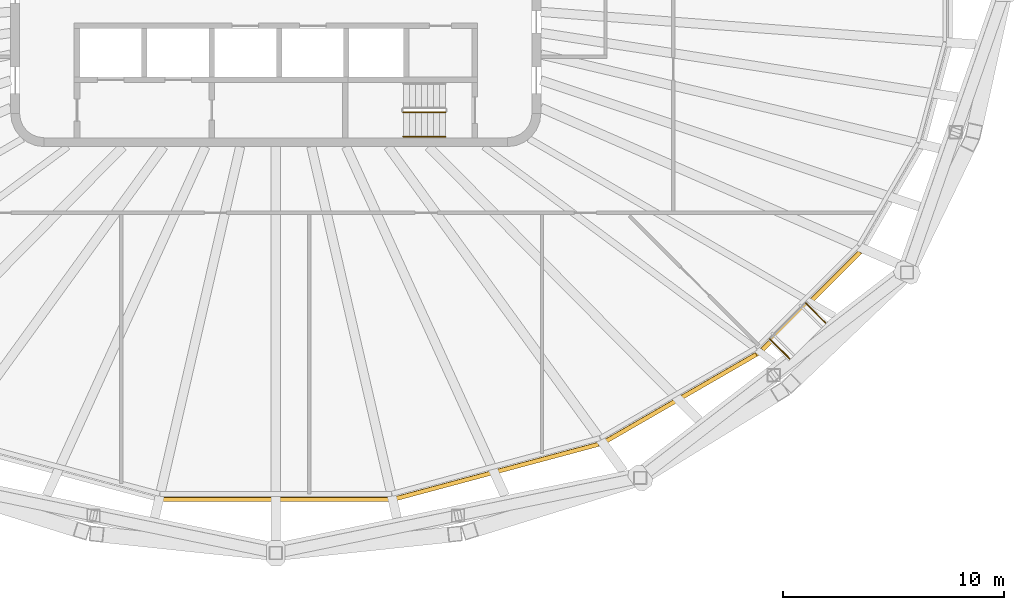
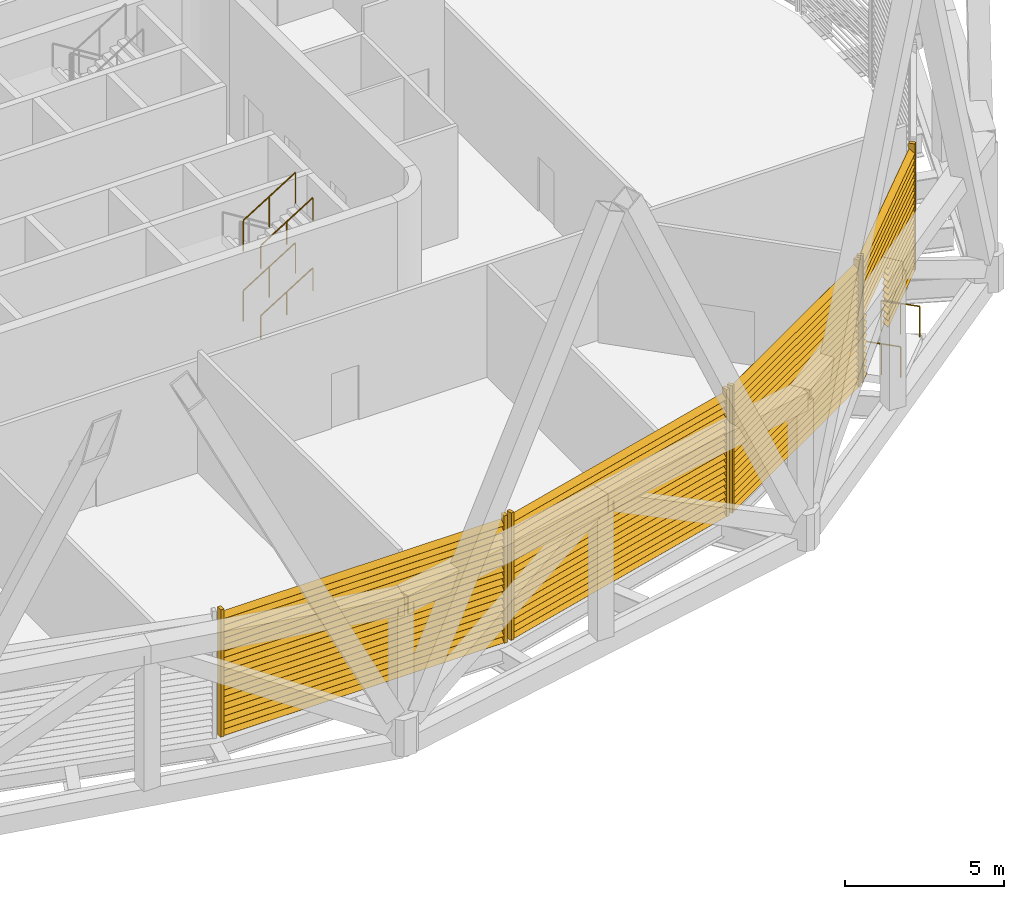
# One storey, part 13 of 17: 6 railings, 4 shading devices.
"""IFC4 building model written with IfcOpenShell, lengths in metres."""

from ifc_helpers import new_model, si_unit, direction, frame, origin, origin_2d, place, context, subcontext, project, spatial, rectangle, circle, extrude, material, type_object, element, save


model = new_model("IFC4")

# Units and contexts
model_context = context("Model", 3, precision=1e-05, world=origin(), true_north=direction((0.0, 1.0)))
body_context = subcontext(model_context, "Body", "Model", "MODEL_VIEW")
ifc_project = project(units=[si_unit("LENGTHUNIT", "METRE"), si_unit("AREAUNIT", "SQUARE_METRE"), si_unit("VOLUMEUNIT", "CUBIC_METRE"), si_unit("PLANEANGLEUNIT", "RADIAN"), si_unit("MASSUNIT", "GRAM", prefix="KILO")], contexts=[model_context])

# Site, building, storey
site_placement = place(None, origin())
site = spatial("IfcSite", under=ifc_project, at=site_placement, CompositionType="ELEMENT")
building_placement = place(site_placement, origin())
building = spatial("IfcBuilding", under=site, at=building_placement, Name="Sahrelin Media Tower", CompositionType="ELEMENT")
storey_placement = place(building_placement, frame((0.0, 0.0, 249.60009765625)))
storey = spatial("IfcBuildingStorey", under=building, at=storey_placement, Name="L54", CompositionType="ELEMENT", Elevation=249.60009765625)

# Railings
ifc_material_1 = material(Name="Stainless steel 316", Category="steel")
railing_type_1 = type_object("IfcRailingType", Name="Maintenance platform guard", PredefinedType="GUARDRAIL", material=ifc_material_1)
railing_1_placement = place(storey_placement, frame((22.367431640625, -15.7099609375, 0.0)))
element("IfcRailing", 1, at=railing_1_placement, inside=storey, type_object=railing_type_1, Name="Maintenance platform guard L54-21-A", PredefinedType="GUARDRAIL", context=body_context, shape_type="SweptSolid", body=[
    extrude(circle(Radius=0.02392578125, at=origin_2d()), frame((0.0, 0.0, 1.17578125), z_axis=(0.707010267603, -0.707203281599, 0.0), x_axis=(0.707203281599, 0.707010267603, 0.0)), (0.0, 0.0, 1.0), 1.264892578125),
    extrude(circle(Radius=0.02099609375, at=origin_2d()), origin(), (0.0, 0.0, 1.0), 1.15185546875),
    extrude(circle(Radius=0.02099609375, at=origin_2d()), frame((0.447265625, -0.447265625, 0.0)), (0.0, 0.0, 1.0), 1.15185546875),
    extrude(circle(Radius=0.02099609375, at=origin_2d()), frame((0.894287109375, -0.89453125, 0.0)), (0.0, 0.0, 1.0), 1.15185546875),
])
railing_2_placement = place(storey_placement, frame((23.99365234375, -14.083740234375, 0.0)))
element("IfcRailing", 2, at=railing_2_placement, inside=storey, type_object=railing_type_1, Name="Maintenance platform guard L54-21-B", PredefinedType="GUARDRAIL", context=body_context, shape_type="SweptSolid", body=[
    extrude(circle(Radius=0.02392578125, at=origin_2d()), frame((0.0, 0.0, 1.17578125), z_axis=(0.707203281599, -0.707010267603, 0.0), x_axis=(0.707010267603, 0.707203281599, 0.0)), (0.0, 0.0, 1.0), 1.264892578125),
    extrude(circle(Radius=0.02099609375, at=origin_2d()), origin(), (0.0, 0.0, 1.0), 1.15185546875),
    extrude(circle(Radius=0.02099609375, at=origin_2d()), frame((0.447265625, -0.447265625, 0.0)), (0.0, 0.0, 1.0), 1.15185546875),
    extrude(circle(Radius=0.02099609375, at=origin_2d()), frame((0.89453125, -0.894287109375, 0.0)), (0.0, 0.0, 1.0), 1.15185546875),
])

# Shading devices
ifc_material_2 = material(Name="Champagne anodised aluminium 6063-T6", Category="aluminium")
shading_device_type = type_object("IfcShadingDeviceType", Name="Sand-rejection louvre band", PredefinedType="USERDEFINED", material=ifc_material_2)
shading_device_1_placement = place(storey_placement, frame((0.0, -22.8720703125, 0.0), z_axis=(0.0, 0.0, 1.0), x_axis=(-1.0, 0.0, 0.0)))
element("IfcShadingDevice", 3, at=shading_device_1_placement, inside=storey, type_object=shading_device_type, Name="L54:LOUVRE:L54-18", ObjectType="LOUVRE", PredefinedType="USERDEFINED", context=body_context, shape_type="SweptSolid", body=[
    extrude(rectangle(XDim=0.1201171875, YDim=0.199951171875, at=origin_2d()), frame((5.156005859375, 0.10009765625, 0.050048828125), z_axis=(0.0, 0.0, 1.0), x_axis=(1.0, 0.0, 0.0)), (0.0, 0.0, 1.0), 4.8984375),
    extrude(rectangle(XDim=0.1201171875, YDim=0.199951171875, at=origin_2d()), frame((-5.156005859375, 0.10009765625, 0.050048828125), z_axis=(0.0, 0.0, 1.0), x_axis=(1.0, 0.0, 0.0)), (0.0, 0.0, 1.0), 4.8984375),
    extrude(rectangle(XDim=0.25, YDim=0.02001953125, at=origin_2d()), frame((5.09619140625, 0.10009765625, 0.14990234375), z_axis=(-1.0, 0.0, 0.0), x_axis=(0.0, -0.766044443119, 0.642787609687)), (0.0, 0.0, 1.0), 10.1923828125),
    extrude(rectangle(XDim=0.25, YDim=0.02001953125, at=origin_2d()), frame((5.09619140625, 0.10009765625, 0.39990234375), z_axis=(-1.0, 0.0, 0.0), x_axis=(0.0, -0.766044443119, 0.642787609687)), (0.0, 0.0, 1.0), 10.1923828125),
    extrude(rectangle(XDim=0.25, YDim=0.02001953125, at=origin_2d()), frame((5.09619140625, 0.10009765625, 0.64990234375), z_axis=(-1.0, 0.0, 0.0), x_axis=(0.0, -0.766044443119, 0.642787609687)), (0.0, 0.0, 1.0), 10.1923828125),
    extrude(rectangle(XDim=0.25, YDim=0.02001953125, at=origin_2d()), frame((5.09619140625, 0.10009765625, 0.89990234375), z_axis=(-1.0, 0.0, 0.0), x_axis=(0.0, -0.766044443119, 0.642787609687)), (0.0, 0.0, 1.0), 10.1923828125),
    extrude(rectangle(XDim=0.25, YDim=0.02001953125, at=origin_2d()), frame((5.09619140625, 0.10009765625, 1.14990234375), z_axis=(-1.0, 0.0, 0.0), x_axis=(0.0, -0.766044443119, 0.642787609687)), (0.0, 0.0, 1.0), 10.1923828125),
    extrude(rectangle(XDim=0.25, YDim=0.02001953125, at=origin_2d()), frame((5.09619140625, 0.10009765625, 1.39990234375), z_axis=(-1.0, 0.0, 0.0), x_axis=(0.0, -0.766044443119, 0.642787609687)), (0.0, 0.0, 1.0), 10.1923828125),
    extrude(rectangle(XDim=0.25, YDim=0.02001953125, at=origin_2d()), frame((5.09619140625, 0.10009765625, 1.64990234375), z_axis=(-1.0, 0.0, 0.0), x_axis=(0.0, -0.766044443119, 0.642787609687)), (0.0, 0.0, 1.0), 10.1923828125),
    extrude(rectangle(XDim=0.25, YDim=0.02001953125, at=origin_2d()), frame((5.09619140625, 0.10009765625, 1.89990234375), z_axis=(-1.0, 0.0, 0.0), x_axis=(0.0, -0.766044443119, 0.642787609687)), (0.0, 0.0, 1.0), 10.1923828125),
    extrude(rectangle(XDim=0.25, YDim=0.02001953125, at=origin_2d()), frame((5.09619140625, 0.10009765625, 2.14990234375), z_axis=(-1.0, 0.0, 0.0), x_axis=(0.0, -0.766044443119, 0.642787609687)), (0.0, 0.0, 1.0), 10.1923828125),
    extrude(rectangle(XDim=0.25, YDim=0.02001953125, at=origin_2d()), frame((5.09619140625, 0.10009765625, 2.39990234375), z_axis=(-1.0, 0.0, 0.0), x_axis=(0.0, -0.766044443119, 0.642787609687)), (0.0, 0.0, 1.0), 10.1923828125),
    extrude(rectangle(XDim=0.25, YDim=0.02001953125, at=origin_2d()), frame((5.09619140625, 0.10009765625, 2.64990234375), z_axis=(-1.0, 0.0, 0.0), x_axis=(0.0, -0.766044443119, 0.642787609687)), (0.0, 0.0, 1.0), 10.1923828125),
    extrude(rectangle(XDim=0.25, YDim=0.02001953125, at=origin_2d()), frame((5.09619140625, 0.10009765625, 2.89990234375), z_axis=(-1.0, 0.0, 0.0), x_axis=(0.0, -0.766044443119, 0.642787609687)), (0.0, 0.0, 1.0), 10.1923828125),
    extrude(rectangle(XDim=0.25, YDim=0.02001953125, at=origin_2d()), frame((5.09619140625, 0.10009765625, 3.14990234375), z_axis=(-1.0, 0.0, 0.0), x_axis=(0.0, -0.766044443119, 0.642787609687)), (0.0, 0.0, 1.0), 10.1923828125),
    extrude(rectangle(XDim=0.25, YDim=0.02001953125, at=origin_2d()), frame((5.09619140625, 0.10009765625, 3.39990234375), z_axis=(-1.0, 0.0, 0.0), x_axis=(0.0, -0.766044443119, 0.642787609687)), (0.0, 0.0, 1.0), 10.1923828125),
    extrude(rectangle(XDim=0.25, YDim=0.02001953125, at=origin_2d()), frame((5.09619140625, 0.10009765625, 3.64990234375), z_axis=(-1.0, 0.0, 0.0), x_axis=(0.0, -0.766044443119, 0.642787609687)), (0.0, 0.0, 1.0), 10.1923828125),
    extrude(rectangle(XDim=0.25, YDim=0.02001953125, at=origin_2d()), frame((5.09619140625, 0.10009765625, 3.89990234375), z_axis=(-1.0, 0.0, 0.0), x_axis=(0.0, -0.766044443119, 0.642787609687)), (0.0, 0.0, 1.0), 10.1923828125),
    extrude(rectangle(XDim=0.25, YDim=0.02001953125, at=origin_2d()), frame((5.09619140625, 0.10009765625, 4.14990234375), z_axis=(-1.0, 0.0, 0.0), x_axis=(0.0, -0.766044443119, 0.642787609687)), (0.0, 0.0, 1.0), 10.1923828125),
    extrude(rectangle(XDim=0.25, YDim=0.02001953125, at=origin_2d()), frame((5.09619140625, 0.10009765625, 4.39990234375), z_axis=(-1.0, 0.0, 0.0), x_axis=(0.0, -0.766044443119, 0.642787609687)), (0.0, 0.0, 1.0), 10.1923828125),
    extrude(rectangle(XDim=0.25, YDim=0.02001953125, at=origin_2d()), frame((5.09619140625, 0.10009765625, 4.64990234375), z_axis=(-1.0, 0.0, 0.0), x_axis=(0.0, -0.766044443119, 0.642787609687)), (0.0, 0.0, 1.0), 10.1923828125),
])
shading_device_2_placement = place(storey_placement, frame((10.005615234375, -21.602294921875, 0.0), z_axis=(0.0, 0.0, 1.0), x_axis=(-0.965928857556, -0.258807731996, 0.0)))
element("IfcShadingDevice", 4, at=shading_device_2_placement, inside=storey, type_object=shading_device_type, Name="L54:LOUVRE:L54-19", ObjectType="LOUVRE", PredefinedType="USERDEFINED", context=body_context, shape_type="SweptSolid", body=[
    extrude(rectangle(XDim=0.1201171875, YDim=0.199951171875, at=origin_2d()), frame((4.796630859375, 0.10009765625, 0.050048828125), z_axis=(0.0, 0.0, 1.0), x_axis=(1.0, 0.0, 0.0)), (0.0, 0.0, 1.0), 4.8984375),
    extrude(rectangle(XDim=0.1201171875, YDim=0.199951171875, at=origin_2d()), frame((-4.796630859375, 0.10009765625, 0.050048828125), z_axis=(0.0, 0.0, 1.0), x_axis=(1.0, 0.0, 0.0)), (0.0, 0.0, 1.0), 4.8984375),
    extrude(rectangle(XDim=0.25, YDim=0.02001953125, at=origin_2d()), frame((4.73681640625, 0.10009765625, 0.14990234375), z_axis=(-1.0, 0.0, 0.0), x_axis=(0.0, -0.766044443119, 0.642787609687)), (0.0, 0.0, 1.0), 9.4736328125),
    extrude(rectangle(XDim=0.25, YDim=0.02001953125, at=origin_2d()), frame((4.73681640625, 0.10009765625, 0.39990234375), z_axis=(-1.0, 0.0, 0.0), x_axis=(0.0, -0.766044443119, 0.642787609687)), (0.0, 0.0, 1.0), 9.4736328125),
    extrude(rectangle(XDim=0.25, YDim=0.02001953125, at=origin_2d()), frame((4.73681640625, 0.10009765625, 0.64990234375), z_axis=(-1.0, 0.0, 0.0), x_axis=(0.0, -0.766044443119, 0.642787609687)), (0.0, 0.0, 1.0), 9.4736328125),
    extrude(rectangle(XDim=0.25, YDim=0.02001953125, at=origin_2d()), frame((4.73681640625, 0.10009765625, 0.89990234375), z_axis=(-1.0, 0.0, 0.0), x_axis=(0.0, -0.766044443119, 0.642787609687)), (0.0, 0.0, 1.0), 9.4736328125),
    extrude(rectangle(XDim=0.25, YDim=0.02001953125, at=origin_2d()), frame((4.73681640625, 0.10009765625, 1.14990234375), z_axis=(-1.0, 0.0, 0.0), x_axis=(0.0, -0.766044443119, 0.642787609687)), (0.0, 0.0, 1.0), 9.4736328125),
    extrude(rectangle(XDim=0.25, YDim=0.02001953125, at=origin_2d()), frame((4.73681640625, 0.10009765625, 1.39990234375), z_axis=(-1.0, 0.0, 0.0), x_axis=(0.0, -0.766044443119, 0.642787609687)), (0.0, 0.0, 1.0), 9.4736328125),
    extrude(rectangle(XDim=0.25, YDim=0.02001953125, at=origin_2d()), frame((4.73681640625, 0.10009765625, 1.64990234375), z_axis=(-1.0, 0.0, 0.0), x_axis=(0.0, -0.766044443119, 0.642787609687)), (0.0, 0.0, 1.0), 9.4736328125),
    extrude(rectangle(XDim=0.25, YDim=0.02001953125, at=origin_2d()), frame((4.73681640625, 0.10009765625, 1.89990234375), z_axis=(-1.0, 0.0, 0.0), x_axis=(0.0, -0.766044443119, 0.642787609687)), (0.0, 0.0, 1.0), 9.4736328125),
    extrude(rectangle(XDim=0.25, YDim=0.02001953125, at=origin_2d()), frame((4.73681640625, 0.10009765625, 2.14990234375), z_axis=(-1.0, 0.0, 0.0), x_axis=(0.0, -0.766044443119, 0.642787609687)), (0.0, 0.0, 1.0), 9.4736328125),
    extrude(rectangle(XDim=0.25, YDim=0.02001953125, at=origin_2d()), frame((4.73681640625, 0.10009765625, 2.39990234375), z_axis=(-1.0, 0.0, 0.0), x_axis=(0.0, -0.766044443119, 0.642787609687)), (0.0, 0.0, 1.0), 9.4736328125),
    extrude(rectangle(XDim=0.25, YDim=0.02001953125, at=origin_2d()), frame((4.73681640625, 0.10009765625, 2.64990234375), z_axis=(-1.0, 0.0, 0.0), x_axis=(0.0, -0.766044443119, 0.642787609687)), (0.0, 0.0, 1.0), 9.4736328125),
    extrude(rectangle(XDim=0.25, YDim=0.02001953125, at=origin_2d()), frame((4.73681640625, 0.10009765625, 2.89990234375), z_axis=(-1.0, 0.0, 0.0), x_axis=(0.0, -0.766044443119, 0.642787609687)), (0.0, 0.0, 1.0), 9.4736328125),
    extrude(rectangle(XDim=0.25, YDim=0.02001953125, at=origin_2d()), frame((4.73681640625, 0.10009765625, 3.14990234375), z_axis=(-1.0, 0.0, 0.0), x_axis=(0.0, -0.766044443119, 0.642787609687)), (0.0, 0.0, 1.0), 9.4736328125),
    extrude(rectangle(XDim=0.25, YDim=0.02001953125, at=origin_2d()), frame((4.73681640625, 0.10009765625, 3.39990234375), z_axis=(-1.0, 0.0, 0.0), x_axis=(0.0, -0.766044443119, 0.642787609687)), (0.0, 0.0, 1.0), 9.4736328125),
    extrude(rectangle(XDim=0.25, YDim=0.02001953125, at=origin_2d()), frame((4.73681640625, 0.10009765625, 3.64990234375), z_axis=(-1.0, 0.0, 0.0), x_axis=(0.0, -0.766044443119, 0.642787609687)), (0.0, 0.0, 1.0), 9.4736328125),
    extrude(rectangle(XDim=0.25, YDim=0.02001953125, at=origin_2d()), frame((4.73681640625, 0.10009765625, 3.89990234375), z_axis=(-1.0, 0.0, 0.0), x_axis=(0.0, -0.766044443119, 0.642787609687)), (0.0, 0.0, 1.0), 9.4736328125),
    extrude(rectangle(XDim=0.25, YDim=0.02001953125, at=origin_2d()), frame((4.73681640625, 0.10009765625, 4.14990234375), z_axis=(-1.0, 0.0, 0.0), x_axis=(0.0, -0.766044443119, 0.642787609687)), (0.0, 0.0, 1.0), 9.4736328125),
    extrude(rectangle(XDim=0.25, YDim=0.02001953125, at=origin_2d()), frame((4.73681640625, 0.10009765625, 4.39990234375), z_axis=(-1.0, 0.0, 0.0), x_axis=(0.0, -0.766044443119, 0.642787609687)), (0.0, 0.0, 1.0), 9.4736328125),
    extrude(rectangle(XDim=0.25, YDim=0.02001953125, at=origin_2d()), frame((4.73681640625, 0.10009765625, 4.64990234375), z_axis=(-1.0, 0.0, 0.0), x_axis=(0.0, -0.766044443119, 0.642787609687)), (0.0, 0.0, 1.0), 9.4736328125),
])
shading_device_3_placement = place(storey_placement, frame((18.294189453125, -18.283203125, 0.0), z_axis=(0.0, 0.0, 1.0), x_axis=(-0.866019052629, -0.500011000363, 0.0)))
element("IfcShadingDevice", 5, at=shading_device_3_placement, inside=storey, type_object=shading_device_type, Name="L54:LOUVRE:L54-20", ObjectType="LOUVRE", PredefinedType="USERDEFINED", context=body_context, shape_type="SweptSolid", body=[
    extrude(rectangle(XDim=0.1201171875, YDim=0.199951171875, at=origin_2d()), frame((3.988037109375, 0.10009765625, 0.050048828125), z_axis=(0.0, 0.0, 1.0), x_axis=(1.0, 0.0, 0.0)), (0.0, 0.0, 1.0), 4.8984375),
    extrude(rectangle(XDim=0.1201171875, YDim=0.199951171875, at=origin_2d()), frame((-3.988037109375, 0.10009765625, 0.050048828125), z_axis=(0.0, 0.0, 1.0), x_axis=(1.0, 0.0, 0.0)), (0.0, 0.0, 1.0), 4.8984375),
    extrude(rectangle(XDim=0.25, YDim=0.02001953125, at=origin_2d()), frame((3.927978515625, 0.10009765625, 0.14990234375), z_axis=(-1.0, 0.0, 0.0), x_axis=(0.0, -0.766044443119, 0.642787609687)), (0.0, 0.0, 1.0), 7.85595703125),
    extrude(rectangle(XDim=0.25, YDim=0.02001953125, at=origin_2d()), frame((3.927978515625, 0.10009765625, 0.39990234375), z_axis=(-1.0, 0.0, 0.0), x_axis=(0.0, -0.766044443119, 0.642787609687)), (0.0, 0.0, 1.0), 7.85595703125),
    extrude(rectangle(XDim=0.25, YDim=0.02001953125, at=origin_2d()), frame((3.927978515625, 0.10009765625, 0.64990234375), z_axis=(-1.0, 0.0, 0.0), x_axis=(0.0, -0.766044443119, 0.642787609687)), (0.0, 0.0, 1.0), 7.85595703125),
    extrude(rectangle(XDim=0.25, YDim=0.02001953125, at=origin_2d()), frame((3.927978515625, 0.10009765625, 0.89990234375), z_axis=(-1.0, 0.0, 0.0), x_axis=(0.0, -0.766044443119, 0.642787609687)), (0.0, 0.0, 1.0), 7.85595703125),
    extrude(rectangle(XDim=0.25, YDim=0.02001953125, at=origin_2d()), frame((3.927978515625, 0.10009765625, 1.14990234375), z_axis=(-1.0, 0.0, 0.0), x_axis=(0.0, -0.766044443119, 0.642787609687)), (0.0, 0.0, 1.0), 7.85595703125),
    extrude(rectangle(XDim=0.25, YDim=0.02001953125, at=origin_2d()), frame((3.927978515625, 0.10009765625, 1.39990234375), z_axis=(-1.0, 0.0, 0.0), x_axis=(0.0, -0.766044443119, 0.642787609687)), (0.0, 0.0, 1.0), 7.85595703125),
    extrude(rectangle(XDim=0.25, YDim=0.02001953125, at=origin_2d()), frame((3.927978515625, 0.10009765625, 1.64990234375), z_axis=(-1.0, 0.0, 0.0), x_axis=(0.0, -0.766044443119, 0.642787609687)), (0.0, 0.0, 1.0), 7.85595703125),
    extrude(rectangle(XDim=0.25, YDim=0.02001953125, at=origin_2d()), frame((3.927978515625, 0.10009765625, 1.89990234375), z_axis=(-1.0, 0.0, 0.0), x_axis=(0.0, -0.766044443119, 0.642787609687)), (0.0, 0.0, 1.0), 7.85595703125),
    extrude(rectangle(XDim=0.25, YDim=0.02001953125, at=origin_2d()), frame((3.927978515625, 0.10009765625, 2.14990234375), z_axis=(-1.0, 0.0, 0.0), x_axis=(0.0, -0.766044443119, 0.642787609687)), (0.0, 0.0, 1.0), 7.85595703125),
    extrude(rectangle(XDim=0.25, YDim=0.02001953125, at=origin_2d()), frame((3.927978515625, 0.10009765625, 2.39990234375), z_axis=(-1.0, 0.0, 0.0), x_axis=(0.0, -0.766044443119, 0.642787609687)), (0.0, 0.0, 1.0), 7.85595703125),
    extrude(rectangle(XDim=0.25, YDim=0.02001953125, at=origin_2d()), frame((3.927978515625, 0.10009765625, 2.64990234375), z_axis=(-1.0, 0.0, 0.0), x_axis=(0.0, -0.766044443119, 0.642787609687)), (0.0, 0.0, 1.0), 7.85595703125),
    extrude(rectangle(XDim=0.25, YDim=0.02001953125, at=origin_2d()), frame((3.927978515625, 0.10009765625, 2.89990234375), z_axis=(-1.0, 0.0, 0.0), x_axis=(0.0, -0.766044443119, 0.642787609687)), (0.0, 0.0, 1.0), 7.85595703125),
    extrude(rectangle(XDim=0.25, YDim=0.02001953125, at=origin_2d()), frame((3.927978515625, 0.10009765625, 3.14990234375), z_axis=(-1.0, 0.0, 0.0), x_axis=(0.0, -0.766044443119, 0.642787609687)), (0.0, 0.0, 1.0), 7.85595703125),
    extrude(rectangle(XDim=0.25, YDim=0.02001953125, at=origin_2d()), frame((3.927978515625, 0.10009765625, 3.39990234375), z_axis=(-1.0, 0.0, 0.0), x_axis=(0.0, -0.766044443119, 0.642787609687)), (0.0, 0.0, 1.0), 7.85595703125),
    extrude(rectangle(XDim=0.25, YDim=0.02001953125, at=origin_2d()), frame((3.927978515625, 0.10009765625, 3.64990234375), z_axis=(-1.0, 0.0, 0.0), x_axis=(0.0, -0.766044443119, 0.642787609687)), (0.0, 0.0, 1.0), 7.85595703125),
    extrude(rectangle(XDim=0.25, YDim=0.02001953125, at=origin_2d()), frame((3.927978515625, 0.10009765625, 3.89990234375), z_axis=(-1.0, 0.0, 0.0), x_axis=(0.0, -0.766044443119, 0.642787609687)), (0.0, 0.0, 1.0), 7.85595703125),
    extrude(rectangle(XDim=0.25, YDim=0.02001953125, at=origin_2d()), frame((3.927978515625, 0.10009765625, 4.14990234375), z_axis=(-1.0, 0.0, 0.0), x_axis=(0.0, -0.766044443119, 0.642787609687)), (0.0, 0.0, 1.0), 7.85595703125),
    extrude(rectangle(XDim=0.25, YDim=0.02001953125, at=origin_2d()), frame((3.927978515625, 0.10009765625, 4.39990234375), z_axis=(-1.0, 0.0, 0.0), x_axis=(0.0, -0.766044443119, 0.642787609687)), (0.0, 0.0, 1.0), 7.85595703125),
    extrude(rectangle(XDim=0.25, YDim=0.02001953125, at=origin_2d()), frame((3.927978515625, 0.10009765625, 4.64990234375), z_axis=(-1.0, 0.0, 0.0), x_axis=(0.0, -0.766044443119, 0.642787609687)), (0.0, 0.0, 1.0), 7.85595703125),
])
shading_device_4_placement = place(storey_placement, frame((24.170654296875, -13.906982421875, 0.0), z_axis=(0.0, 0.0, 1.0), x_axis=(-0.707106781187, -0.707106781187, 0.0)))
element("IfcShadingDevice", 6, at=shading_device_4_placement, inside=storey, type_object=shading_device_type, Name="L54:LOUVRE:L54-21", ObjectType="LOUVRE", PredefinedType="USERDEFINED", context=body_context, shape_type="SweptSolid", body=[
    extrude(rectangle(XDim=0.1201171875, YDim=0.199951171875, at=origin_2d()), frame((3.18115234375, 0.10009765625, 0.050048828125), z_axis=(0.0, 0.0, 1.0), x_axis=(1.0, 0.0, 0.0)), (0.0, 0.0, 1.0), 4.8984375),
    extrude(rectangle(XDim=0.1201171875, YDim=0.199951171875, at=origin_2d()), frame((-3.18115234375, 0.10009765625, 0.050048828125), z_axis=(0.0, 0.0, 1.0), x_axis=(1.0, 0.0, 0.0)), (0.0, 0.0, 1.0), 4.8984375),
    extrude(rectangle(XDim=0.25, YDim=0.02001953125, at=origin_2d()), frame((3.12109375, 0.10009765625, 0.14990234375), z_axis=(-1.0, 0.0, 0.0), x_axis=(0.0, -0.766044443119, 0.642787609687)), (0.0, 0.0, 1.0), 0.4208984375),
    extrude(rectangle(XDim=0.25, YDim=0.02001953125, at=origin_2d()), frame((0.10009765625, 0.10009765625, 0.14990234375), z_axis=(-1.0, 0.0, 0.0), x_axis=(0.0, -0.766044443119, 0.642787609687)), (0.0, 0.0, 1.0), 3.22119140625),
    extrude(rectangle(XDim=0.25, YDim=0.02001953125, at=origin_2d()), frame((3.12109375, 0.10009765625, 0.39990234375), z_axis=(-1.0, 0.0, 0.0), x_axis=(0.0, -0.766044443119, 0.642787609687)), (0.0, 0.0, 1.0), 0.4208984375),
    extrude(rectangle(XDim=0.25, YDim=0.02001953125, at=origin_2d()), frame((0.10009765625, 0.10009765625, 0.39990234375), z_axis=(-1.0, 0.0, 0.0), x_axis=(0.0, -0.766044443119, 0.642787609687)), (0.0, 0.0, 1.0), 3.22119140625),
    extrude(rectangle(XDim=0.25, YDim=0.02001953125, at=origin_2d()), frame((3.12109375, 0.10009765625, 0.64990234375), z_axis=(-1.0, 0.0, 0.0), x_axis=(0.0, -0.766044443119, 0.642787609687)), (0.0, 0.0, 1.0), 0.4208984375),
    extrude(rectangle(XDim=0.25, YDim=0.02001953125, at=origin_2d()), frame((0.10009765625, 0.10009765625, 0.64990234375), z_axis=(-1.0, 0.0, 0.0), x_axis=(0.0, -0.766044443119, 0.642787609687)), (0.0, 0.0, 1.0), 3.22119140625),
    extrude(rectangle(XDim=0.25, YDim=0.02001953125, at=origin_2d()), frame((3.12109375, 0.10009765625, 0.89990234375), z_axis=(-1.0, 0.0, 0.0), x_axis=(0.0, -0.766044443119, 0.642787609687)), (0.0, 0.0, 1.0), 0.4208984375),
    extrude(rectangle(XDim=0.25, YDim=0.02001953125, at=origin_2d()), frame((0.10009765625, 0.10009765625, 0.89990234375), z_axis=(-1.0, 0.0, 0.0), x_axis=(0.0, -0.766044443119, 0.642787609687)), (0.0, 0.0, 1.0), 3.22119140625),
    extrude(rectangle(XDim=0.25, YDim=0.02001953125, at=origin_2d()), frame((3.12109375, 0.10009765625, 1.14990234375), z_axis=(-1.0, 0.0, 0.0), x_axis=(0.0, -0.766044443119, 0.642787609687)), (0.0, 0.0, 1.0), 0.4208984375),
    extrude(rectangle(XDim=0.25, YDim=0.02001953125, at=origin_2d()), frame((0.10009765625, 0.10009765625, 1.14990234375), z_axis=(-1.0, 0.0, 0.0), x_axis=(0.0, -0.766044443119, 0.642787609687)), (0.0, 0.0, 1.0), 3.22119140625),
    extrude(rectangle(XDim=0.25, YDim=0.02001953125, at=origin_2d()), frame((3.12109375, 0.10009765625, 1.39990234375), z_axis=(-1.0, 0.0, 0.0), x_axis=(0.0, -0.766044443119, 0.642787609687)), (0.0, 0.0, 1.0), 0.4208984375),
    extrude(rectangle(XDim=0.25, YDim=0.02001953125, at=origin_2d()), frame((0.10009765625, 0.10009765625, 1.39990234375), z_axis=(-1.0, 0.0, 0.0), x_axis=(0.0, -0.766044443119, 0.642787609687)), (0.0, 0.0, 1.0), 3.22119140625),
    extrude(rectangle(XDim=0.25, YDim=0.02001953125, at=origin_2d()), frame((3.12109375, 0.10009765625, 1.64990234375), z_axis=(-1.0, 0.0, 0.0), x_axis=(0.0, -0.766044443119, 0.642787609687)), (0.0, 0.0, 1.0), 0.4208984375),
    extrude(rectangle(XDim=0.25, YDim=0.02001953125, at=origin_2d()), frame((0.10009765625, 0.10009765625, 1.64990234375), z_axis=(-1.0, 0.0, 0.0), x_axis=(0.0, -0.766044443119, 0.642787609687)), (0.0, 0.0, 1.0), 3.22119140625),
    extrude(rectangle(XDim=0.25, YDim=0.02001953125, at=origin_2d()), frame((3.12109375, 0.10009765625, 1.89990234375), z_axis=(-1.0, 0.0, 0.0), x_axis=(0.0, -0.766044443119, 0.642787609687)), (0.0, 0.0, 1.0), 0.4208984375),
    extrude(rectangle(XDim=0.25, YDim=0.02001953125, at=origin_2d()), frame((0.10009765625, 0.10009765625, 1.89990234375), z_axis=(-1.0, 0.0, 0.0), x_axis=(0.0, -0.766044443119, 0.642787609687)), (0.0, 0.0, 1.0), 3.22119140625),
    extrude(rectangle(XDim=0.25, YDim=0.02001953125, at=origin_2d()), frame((3.12109375, 0.10009765625, 2.14990234375), z_axis=(-1.0, 0.0, 0.0), x_axis=(0.0, -0.766044443119, 0.642787609687)), (0.0, 0.0, 1.0), 0.4208984375),
    extrude(rectangle(XDim=0.25, YDim=0.02001953125, at=origin_2d()), frame((0.10009765625, 0.10009765625, 2.14990234375), z_axis=(-1.0, 0.0, 0.0), x_axis=(0.0, -0.766044443119, 0.642787609687)), (0.0, 0.0, 1.0), 3.22119140625),
    extrude(rectangle(XDim=0.25, YDim=0.02001953125, at=origin_2d()), frame((3.12109375, 0.10009765625, 2.39990234375), z_axis=(-1.0, 0.0, 0.0), x_axis=(0.0, -0.766044443119, 0.642787609687)), (0.0, 0.0, 1.0), 0.4208984375),
    extrude(rectangle(XDim=0.25, YDim=0.02001953125, at=origin_2d()), frame((0.10009765625, 0.10009765625, 2.39990234375), z_axis=(-1.0, 0.0, 0.0), x_axis=(0.0, -0.766044443119, 0.642787609687)), (0.0, 0.0, 1.0), 3.22119140625),
    extrude(rectangle(XDim=0.25, YDim=0.02001953125, at=origin_2d()), frame((3.12109375, 0.10009765625, 2.64990234375), z_axis=(-1.0, 0.0, 0.0), x_axis=(0.0, -0.766044443119, 0.642787609687)), (0.0, 0.0, 1.0), 6.2421875),
    extrude(rectangle(XDim=0.25, YDim=0.02001953125, at=origin_2d()), frame((3.12109375, 0.10009765625, 2.89990234375), z_axis=(-1.0, 0.0, 0.0), x_axis=(0.0, -0.766044443119, 0.642787609687)), (0.0, 0.0, 1.0), 6.2421875),
    extrude(rectangle(XDim=0.25, YDim=0.02001953125, at=origin_2d()), frame((3.12109375, 0.10009765625, 3.14990234375), z_axis=(-1.0, 0.0, 0.0), x_axis=(0.0, -0.766044443119, 0.642787609687)), (0.0, 0.0, 1.0), 6.2421875),
    extrude(rectangle(XDim=0.25, YDim=0.02001953125, at=origin_2d()), frame((3.12109375, 0.10009765625, 3.39990234375), z_axis=(-1.0, 0.0, 0.0), x_axis=(0.0, -0.766044443119, 0.642787609687)), (0.0, 0.0, 1.0), 6.2421875),
    extrude(rectangle(XDim=0.25, YDim=0.02001953125, at=origin_2d()), frame((3.12109375, 0.10009765625, 3.64990234375), z_axis=(-1.0, 0.0, 0.0), x_axis=(0.0, -0.766044443119, 0.642787609687)), (0.0, 0.0, 1.0), 6.2421875),
    extrude(rectangle(XDim=0.25, YDim=0.02001953125, at=origin_2d()), frame((3.12109375, 0.10009765625, 3.89990234375), z_axis=(-1.0, 0.0, 0.0), x_axis=(0.0, -0.766044443119, 0.642787609687)), (0.0, 0.0, 1.0), 6.2421875),
    extrude(rectangle(XDim=0.25, YDim=0.02001953125, at=origin_2d()), frame((3.12109375, 0.10009765625, 4.14990234375), z_axis=(-1.0, 0.0, 0.0), x_axis=(0.0, -0.766044443119, 0.642787609687)), (0.0, 0.0, 1.0), 6.2421875),
    extrude(rectangle(XDim=0.25, YDim=0.02001953125, at=origin_2d()), frame((3.12109375, 0.10009765625, 4.39990234375), z_axis=(-1.0, 0.0, 0.0), x_axis=(0.0, -0.766044443119, 0.642787609687)), (0.0, 0.0, 1.0), 6.2421875),
    extrude(rectangle(XDim=0.25, YDim=0.02001953125, at=origin_2d()), frame((3.12109375, 0.10009765625, 4.64990234375), z_axis=(-1.0, 0.0, 0.0), x_axis=(0.0, -0.766044443119, 0.642787609687)), (0.0, 0.0, 1.0), 6.2421875),
])

# Railings
ifc_material_3 = material(Name="Steel S355", Category="steel")
railing_type_2 = type_object("IfcRailingType", Name="Stair guard 1200", PredefinedType="GUARDRAIL", material=ifc_material_3)
railing_3_placement = place(storey_placement, frame((5.77490234375, -5.449951171875, 1.5185546875)))
element("IfcRailing", 7, at=railing_3_placement, inside=storey, type_object=railing_type_2, Name="L54 ST2 stair guard 3", PredefinedType="GUARDRAIL", context=body_context, shape_type="SweptSolid", body=[
    extrude(circle(Radius=0.02392578125, at=origin_2d()), frame((0.0, 0.0, 1.17578125), z_axis=(0.849240365539, 0.0, 0.528006440812), x_axis=(0.0, 1.0, 0.0)), (0.0, 0.0, 1.0), 2.237548828125),
    extrude(circle(Radius=0.02099609375, at=origin_2d()), origin(), (0.0, 0.0, 1.0), 1.15185546875),
    extrude(circle(Radius=0.02099609375, at=origin_2d()), frame((0.9501953125, 0.0, 0.5908203125)), (0.0, 0.0, 1.0), 1.15185546875),
    extrude(circle(Radius=0.02099609375, at=origin_2d()), frame((1.900146484375, 0.0, 1.181396484375)), (0.0, 0.0, 1.0), 1.15185546875),
])
railing_4_placement = place(storey_placement, frame((5.77490234375, -5.449951171875, 4.21875)))
element("IfcRailing", 8, at=railing_4_placement, inside=storey, type_object=railing_type_2, Name="L54 ST2 stair guard 7", PredefinedType="GUARDRAIL", context=body_context, shape_type="SweptSolid", body=[
    extrude(circle(Radius=0.02392578125, at=origin_2d()), frame((0.0, 0.0, 1.17578125), z_axis=(0.849289292259, 0.0, 0.527927739425), x_axis=(0.0, 1.0, 0.0)), (0.0, 0.0, 1.0), 2.2373046875),
    extrude(circle(Radius=0.02099609375, at=origin_2d()), origin(), (0.0, 0.0, 1.0), 1.15185546875),
    extrude(circle(Radius=0.02099609375, at=origin_2d()), frame((0.9501953125, 0.0, 0.590576171875)), (0.0, 0.0, 1.0), 1.15185546875),
    extrude(circle(Radius=0.02099609375, at=origin_2d()), frame((1.900146484375, 0.0, 1.18115234375)), (0.0, 0.0, 1.0), 1.15185546875),
])
railing_type_3 = type_object("IfcRailingType", Name="Stair handrail 900", PredefinedType="HANDRAIL", material=ifc_material_3)
railing_5_placement = place(storey_placement, frame((5.77490234375, -6.550048828125, 1.5185546875)))
element("IfcRailing", 9, at=railing_5_placement, inside=storey, type_object=railing_type_3, Name="L54 ST2 stair handrail 2", PredefinedType="HANDRAIL", context=body_context, shape_type="SweptSolid", body=[
    extrude(circle(Radius=0.02392578125, at=origin_2d()), frame((0.0, 0.0, 0.8759765625), z_axis=(0.849240365539, 0.0, 0.528006440812), x_axis=(0.0, 1.0, 0.0)), (0.0, 0.0, 1.0), 2.237548828125),
    extrude(circle(Radius=0.02099609375, at=origin_2d()), origin(), (0.0, 0.0, 1.0), 0.851806640625),
    extrude(circle(Radius=0.02099609375, at=origin_2d()), frame((0.9501953125, 0.0, 0.5908203125)), (0.0, 0.0, 1.0), 0.851806640625),
    extrude(circle(Radius=0.02099609375, at=origin_2d()), frame((1.900146484375, 0.0, 1.181396484375)), (0.0, 0.0, 1.0), 0.851806640625),
])
railing_6_placement = place(storey_placement, frame((5.77490234375, -6.550048828125, 4.21875)))
element("IfcRailing", 10, at=railing_6_placement, inside=storey, type_object=railing_type_3, Name="L54 ST2 stair handrail 4", PredefinedType="HANDRAIL", context=body_context, shape_type="SweptSolid", body=[
    extrude(circle(Radius=0.02392578125, at=origin_2d()), frame((0.0, 0.0, 0.8759765625), z_axis=(0.849289292259, 0.0, 0.527927739425), x_axis=(0.0, 1.0, 0.0)), (0.0, 0.0, 1.0), 2.2373046875),
    extrude(circle(Radius=0.02099609375, at=origin_2d()), origin(), (0.0, 0.0, 1.0), 0.851806640625),
    extrude(circle(Radius=0.02099609375, at=origin_2d()), frame((0.9501953125, 0.0, 0.590576171875)), (0.0, 0.0, 1.0), 0.851806640625),
    extrude(circle(Radius=0.02099609375, at=origin_2d()), frame((1.900146484375, 0.0, 1.18115234375)), (0.0, 0.0, 1.0), 0.851806640625),
])

save(model, "model.ifc")
